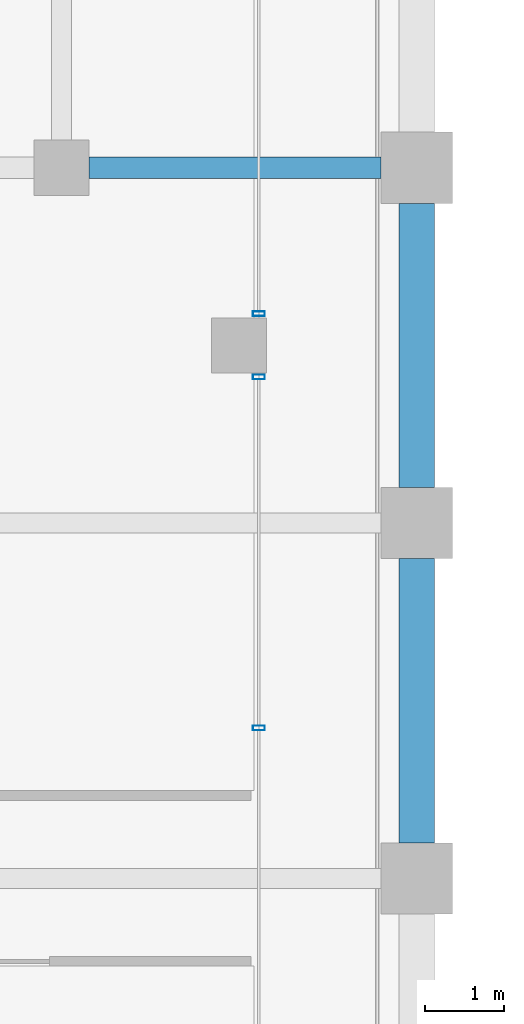
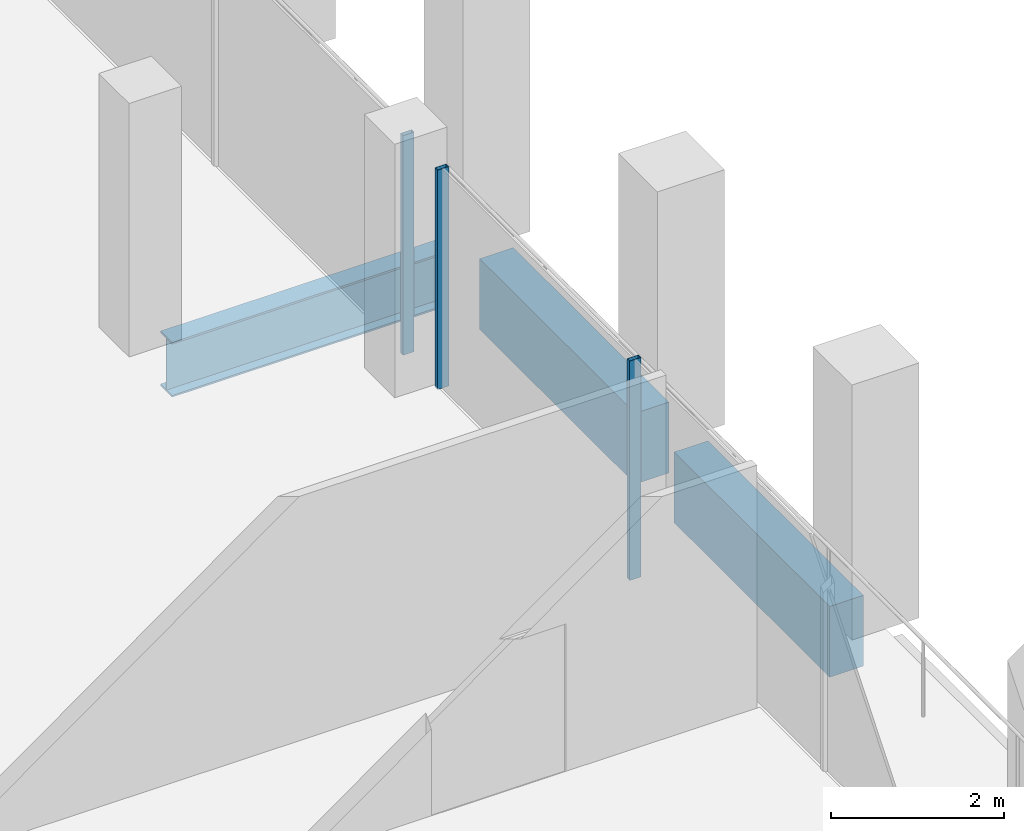
# One storey, part 19 of 40: 3 beams, 3 members, 2 elements without a shape of their own.
"""IFC4 building model written with IfcOpenShell, lengths in metres."""

from ifc_helpers import new_model, si_unit, direction, frame, origin, origin_2d, place, context, subcontext, project, spatial, rectangle, hollow_rectangle, i_section, extrude, material, material_profile, profile_set, type_object, element, aggregate, save


model = new_model("IFC4")

# Units and contexts
model_context = context("Model", 3, precision=1e-05, world=origin(), true_north=direction((0.0, 1.0)))
body_context = subcontext(model_context, "Body", "Model", "MODEL_VIEW")
ifc_project = project(units=[si_unit("LENGTHUNIT", "METRE"), si_unit("AREAUNIT", "SQUARE_METRE"), si_unit("VOLUMEUNIT", "CUBIC_METRE"), si_unit("PLANEANGLEUNIT", "RADIAN"), si_unit("MASSUNIT", "GRAM", prefix="KILO")], contexts=[model_context])

# Site, building, storey
site_placement = place(None, origin())
site = spatial("IfcSite", under=ifc_project, at=site_placement, CompositionType="ELEMENT")
building_placement = place(site_placement, origin())
building = spatial("IfcBuilding", under=site, at=building_placement, Name="Altepetl Exchange Towers", CompositionType="ELEMENT")
storey_placement = place(building_placement, frame((0.0, 0.0, 154.60009765625)))
storey = spatial("IfcBuildingStorey", under=building, at=storey_placement, Name="L38", CompositionType="ELEMENT", Elevation=154.60009765625)

# Beam
ifc_material_1 = material(Name="Steel S355", Category="steel")
ifc_material_profile_1 = material_profile(ifc_material_1, i_section(OverallWidth=0.26806640625, OverallDepth=0.77392578125, WebThickness=0.015380859375, FlangeThickness=0.025390625, at=origin_2d()), Name="W30X132")
ifc_profile_set_1 = profile_set([ifc_material_profile_1], Name="Steel S355")
beam_type_1 = type_object("IfcBeamType", Name="Girder W30X132", PredefinedType="BEAM", material=ifc_profile_set_1)
beam_placement = place(storey_placement, frame((67.85009765625, 58.5, -0.537109375), z_axis=(1.0, 0.0, 0.0), x_axis=(0.0, 1.0, 0.0)))
element("IfcBeam", 1, at=beam_placement, inside=storey, type_object=beam_type_1, Name="gd:A:L38:002", PredefinedType="BEAM", context=body_context, shape_type="SweptSolid", body=[
    extrude(i_section(OverallWidth=0.26806640625, OverallDepth=0.77392578125, WebThickness=0.015380859375, FlangeThickness=0.025390625, at=origin_2d()), origin(), (0.0, 0.0, 1.0), 3.699951171875),
])

# Curtain wall, members
ifc_material_2 = material(Name="Aluminium 6063-T6 glazing", Category="aluminium")
curtain_wall_type = type_object("IfcCurtainWallType", Name="Loggia glazing system", PredefinedType="NOTDEFINED", material=ifc_material_2)
curtain_wall_1_placement = place(storey_placement, origin())
curtain_wall_1 = element("IfcCurtainWall", 2, at=curtain_wall_1_placement, inside=storey, type_object=curtain_wall_type, Name="CW1 run", PredefinedType="NOTDEFINED")
ifc_material_3 = material(Name="Aluminium 6063-T6", Category="aluminium")
ifc_material_profile_2 = material_profile(ifc_material_3, hollow_rectangle(XDim=0.06005859375, YDim=0.14990234375, WallThickness=0.0029296875, at=origin_2d()), Name="Mullion 60x150 aluminium")
ifc_profile_set_2 = profile_set([ifc_material_profile_2], Name="Aluminium 6063-T6")
member_type = type_object("IfcMemberType", Name="Mullion 60x150 aluminium", PredefinedType="MULLION", material=ifc_profile_set_2)
member_1_placement = place(storey_placement, frame((70.0, 51.404052734375, 0.0), z_axis=(0.0, 0.0, 1.0), x_axis=(0.0, 1.0, 0.0)))
member_1 = element("IfcMember", 3, at=member_1_placement, type_object=member_type, Name="MU1 mullion", PredefinedType="MULLION", context=body_context, shape_type="SweptSolid", body=[
    extrude(hollow_rectangle(XDim=0.06005859375, YDim=0.14990234375, WallThickness=0.0029296875, at=origin_2d()), origin(), (0.0, 0.0, 1.0), 3.099853515625),
])
member_2_placement = place(storey_placement, frame((70.0, 55.85009765625, 0.0), z_axis=(0.0, 0.0, 1.0), x_axis=(0.0, 1.0, 0.0)))
member_2 = element("IfcMember", 4, at=member_2_placement, type_object=member_type, Name="MU1 mullion", PredefinedType="MULLION", context=body_context, shape_type="SweptSolid", body=[
    extrude(hollow_rectangle(XDim=0.06005859375, YDim=0.14990234375, WallThickness=0.0029296875, at=origin_2d()), origin(), (0.0, 0.0, 1.0), 3.099853515625),
])
aggregate(curtain_wall_1, [member_1, member_2])

# Curtain wall, member
curtain_wall_2_placement = place(storey_placement, origin())
curtain_wall_2 = element("IfcCurtainWall", 5, at=curtain_wall_2_placement, inside=storey, type_object=curtain_wall_type, Name="CW1 run", PredefinedType="NOTDEFINED")
member_3_placement = place(storey_placement, frame((70.0, 56.64990234375, 0.0), z_axis=(0.0, 0.0, 1.0), x_axis=(0.0, 1.0, 0.0)))
member_3 = element("IfcMember", 6, at=member_3_placement, type_object=member_type, Name="MU1 mullion", PredefinedType="MULLION", context=body_context, shape_type="SweptSolid", body=[
    extrude(hollow_rectangle(XDim=0.06005859375, YDim=0.14990234375, WallThickness=0.0029296875, at=origin_2d()), origin(), (0.0, 0.0, 1.0), 3.099853515625),
])
aggregate(curtain_wall_2, [member_3])

# Beams
ifc_material_4 = material(Name="Concrete C50/60 precast with cantera amarilla facing", Category="concrete")
ifc_material_profile_3 = material_profile(ifc_material_4, rectangle(XDim=0.449951171875, YDim=1.0, at=origin_2d()), Name="450 x 1000")
ifc_profile_set_3 = profile_set([ifc_material_profile_3], Name="Concrete C50/60 precast with cantera amarilla facing")
beam_type_2 = type_object("IfcBeamType", Name="Spandrel beam 450x1000 cantera amarilla", PredefinedType="SPANDREL", material=ifc_profile_set_3)
for number, where, z_axis, x_axis, name in (
    (7, (72.0, 49.949951171875, -0.650146484375), (0.0, 1.0, 0.0), (-1.0, 0.0, 0.0), "sp:A:L38:016"),
    (8, (72.0, 54.449951171875, -0.650146484375), (0.0, 1.0, 0.0), (-1.0, 0.0, 0.0), "sp:A:L38:017"),
):
    element("IfcBeam", number, at=place(storey_placement, frame(where, z_axis=z_axis, x_axis=x_axis)), inside=storey, type_object=beam_type_2, Name=name, PredefinedType="SPANDREL", context=body_context, shape_type="SweptSolid", body=[
        extrude(rectangle(XDim=0.449951171875, YDim=1.0, at=origin_2d()), origin(), (0.0, 0.0, 1.0), 3.60009765625),
    ])

save(model, "model.ifc")
